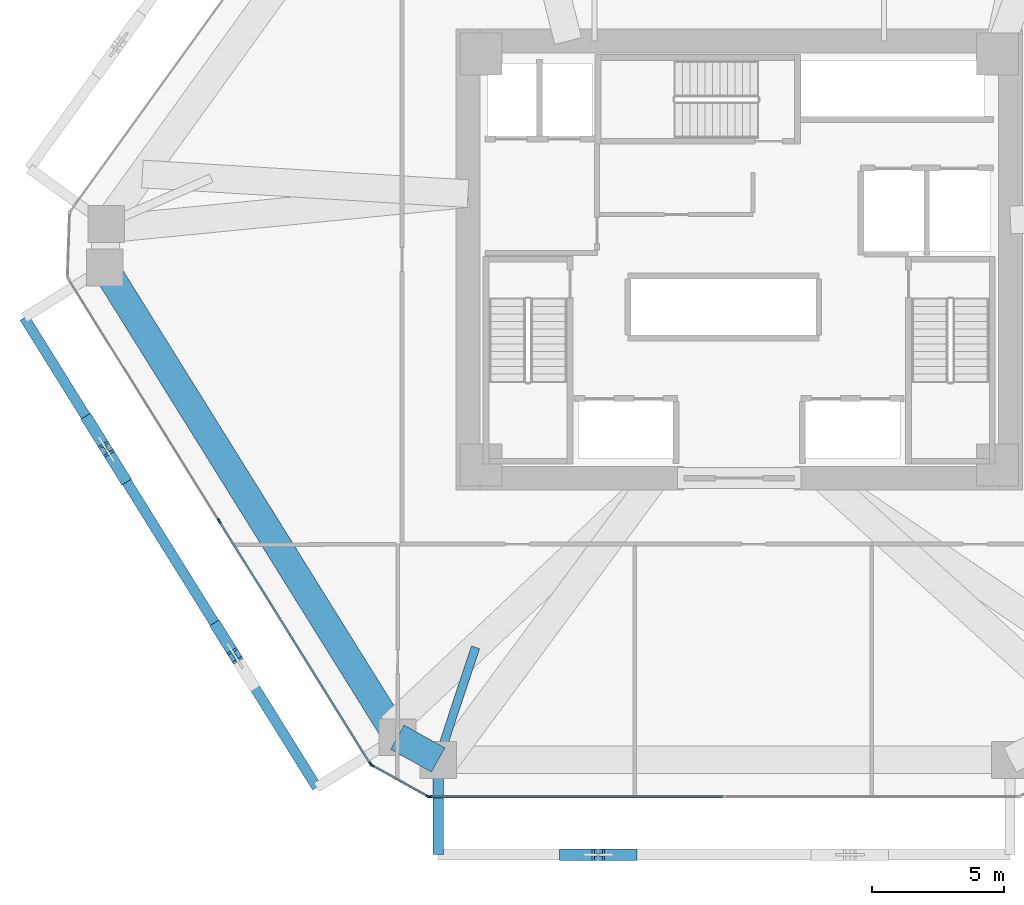
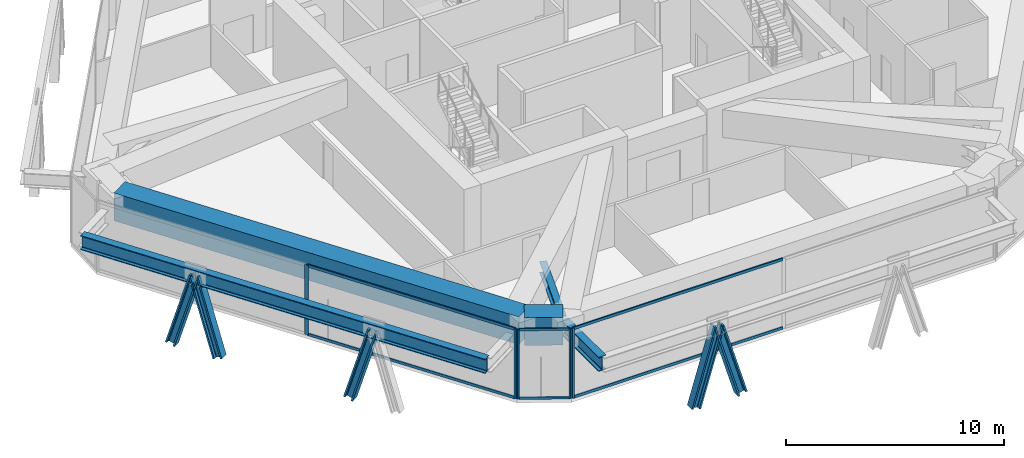
# One storey, part 2 of 16: 16 members, 5 beams, 3 elements without a shape of their own.
"""IFC4 building model written with IfcOpenShell, lengths in metres."""

from ifc_helpers import new_model, si_unit, direction, frame, origin, origin_2d, place, context, subcontext, project, spatial, rectangle, i_section, extrude, source, transform, mapped, material, layer, layer_set, material_profile, profile_set, type_object, type_shapes, element, aggregate, save


model = new_model("IFC4")

# Units and contexts
model_context = context("Model", 3, precision=1e-05, world=origin(), true_north=direction((0.0, 1.0)))
body_context = subcontext(model_context, "Body", "Model", "MODEL_VIEW")
ifc_project = project(units=[si_unit("LENGTHUNIT", "METRE"), si_unit("AREAUNIT", "SQUARE_METRE"), si_unit("VOLUMEUNIT", "CUBIC_METRE"), si_unit("PLANEANGLEUNIT", "RADIAN"), si_unit("MASSUNIT", "GRAM", prefix="KILO")], contexts=[model_context])

# Site, building, storey
site_placement = place(None, origin())
site = spatial("IfcSite", under=ifc_project, at=site_placement, CompositionType="ELEMENT")
building_placement = place(site_placement, origin())
building = spatial("IfcBuilding", under=site, at=building_placement, Name="Durnholm Broadcast Tower", CompositionType="ELEMENT")
storey_placement = place(building_placement, frame((0.0, 0.0, 84.300048828125)))
storey = spatial("IfcBuildingStorey", under=building, at=storey_placement, Name="L22", CompositionType="ELEMENT", Elevation=84.300048828125)

# Beams
ifc_material_1 = material(Name="Steel ASTM A992 Grade 50", Category="steel")
ifc_material_profile_1 = material_profile(ifc_material_1, i_section(OverallWidth=0.385009765625, OverallDepth=0.802978515625, WebThickness=0.023681640625, FlangeThickness=0.0419921875, FilletRadius=0.032958984375, at=origin_2d()), Name="W30X261")
ifc_profile_set_1 = profile_set([ifc_material_profile_1], Name="Steel ASTM A992 Grade 50")
beam_type_1 = type_object("IfcBeamType", Name="BM-EXO-TIE", PredefinedType="USERDEFINED", material=ifc_profile_set_1)
shared_shape_1 = source(origin(), body_context, "Body", "SweptSolid", [
    extrude(i_section(OverallWidth=0.385009765625, OverallDepth=0.802978515625, WebThickness=0.023681640625, FlangeThickness=0.0419921875, FilletRadius=0.032958984375, at=origin_2d()), origin(), (0.0, 0.0, 1.0), 3.4560546875),
])
beam_1_placement = place(storey_placement, frame((-11.43115234375, -19.14404296875, 3.1484375), z_axis=(0.0, -1.0, 0.0), x_axis=(1.0, 0.0, 0.0)))
element("IfcBeam", 1, at=beam_1_placement, inside=storey, type_object=beam_type_1, Name="L22 exoskeleton stand-off tie bracket F1.1", ObjectType="GIRDER", PredefinedType="USERDEFINED", context=body_context, shape_type="MappedRepresentation", body=[
    mapped(shared_shape_1, transform((0.0, 0.0, 0.0), x_axis=(1.0, 0.0, 0.0), y_axis=(0.0, 1.0, 0.0), z_axis=(0.0, 0.0, 1.0), scale=1.0)),
])
shared_shape_2 = source(origin(), body_context, "Body", "SweptSolid", [
    extrude(i_section(OverallWidth=0.385009765625, OverallDepth=0.802978515625, WebThickness=0.023681640625, FlangeThickness=0.0419921875, FilletRadius=0.032958984375, at=origin_2d()), origin(), (0.0, 0.0, 1.0), 21.0146484375),
])
type_shapes(beam_type_1, [shared_shape_1, shared_shape_2])
beam_2_placement = place(storey_placement, frame((-27.146728515625, -2.20263671875, 3.1484375), z_axis=(0.528590518575, -0.848876942597, 0.0), x_axis=(0.848876942597, 0.528590518575, 0.0)))
element("IfcBeam", 2, at=beam_2_placement, inside=storey, type_object=beam_type_1, Name="L22 exoskeleton collector spandrel F6", PredefinedType="SPANDREL", context=body_context, shape_type="MappedRepresentation", body=[
    mapped(shared_shape_2, transform((0.0, 0.0, 0.0), x_axis=(1.0, 0.0, 0.0), y_axis=(0.0, 1.0, 0.0), z_axis=(0.0, 0.0, 1.0), scale=1.0)),
])
ifc_material_2 = material(Name="Concrete C70/85", Category="concrete")
ifc_material_profile_2 = material_profile(ifc_material_2, rectangle(XDim=1.050048828125, YDim=1.550048828125, at=origin_2d()), Name="RC1050X1550")
ifc_profile_set_2 = profile_set([ifc_material_profile_2], Name="Concrete C70/85")
beam_type_2 = type_object("IfcBeamType", Name="BM-TG-RC1550", PredefinedType="USERDEFINED", material=ifc_profile_set_2)
shared_shape_3 = source(origin(), body_context, "Body", "SweptSolid", [
    extrude(rectangle(XDim=1.050048828125, YDim=1.550048828125, at=origin_2d()), origin(), (0.0, 0.0, 1.0), 21.014404296875),
])
beam_3_placement = place(storey_placement, frame((-12.982666015625, -18.138427734375, 3.125), z_axis=(-0.528595731543, 0.848873696491, 0.0), x_axis=(-0.848873696491, -0.528595731543, 0.0)))
element("IfcBeam", 3, at=beam_3_placement, inside=storey, type_object=beam_type_2, Name="L22 perimeter transfer spandrel girder 01", PredefinedType="SPANDREL", context=body_context, shape_type="MappedRepresentation", body=[
    mapped(shared_shape_3, transform((0.0, 0.0, 0.0), x_axis=(1.0, 0.0, 0.0), y_axis=(0.0, 1.0, 0.0), z_axis=(0.0, 0.0, 1.0), scale=1.0)),
])
shared_shape_4 = source(origin(), body_context, "Body", "SweptSolid", [
    extrude(rectangle(XDim=1.050048828125, YDim=1.550048828125, at=origin_2d()), origin(), (0.0, 0.0, 1.0), 1.774658203125),
])
type_shapes(beam_type_2, [shared_shape_3, shared_shape_4])
beam_4_placement = place(storey_placement, frame((-11.43115234375, -19.0, 3.125), z_axis=(-0.874248107979, 0.485479397806, 0.0), x_axis=(-0.485479397806, -0.874248107979, 0.0)))
element("IfcBeam", 4, at=beam_4_placement, inside=storey, type_object=beam_type_2, Name="L22 perimeter transfer spandrel girder 12", PredefinedType="SPANDREL", context=body_context, shape_type="MappedRepresentation", body=[
    mapped(shared_shape_4, transform((0.0, 0.0, 0.0), x_axis=(1.0, 0.0, 0.0), y_axis=(0.0, 1.0, 0.0), z_axis=(0.0, 0.0, 1.0), scale=1.0)),
])
ifc_material_profile_3 = material_profile(ifc_material_1, i_section(OverallWidth=0.3291015625, OverallDepth=0.635009765625, WebThickness=0.017822265625, FlangeThickness=0.031005859375, FilletRadius=0.02783203125, at=origin_2d()), Name="W24X162")
ifc_profile_set_3 = profile_set([ifc_material_profile_3], Name="Steel ASTM A992 Grade 50")
beam_type_3 = type_object("IfcBeamType", Name="STL-SP-W24X162", PredefinedType="SPANDREL", material=ifc_profile_set_3)
shared_shape_5 = source(origin(), body_context, "Body", "SweptSolid", [
    extrude(i_section(OverallWidth=0.3291015625, OverallDepth=0.635009765625, WebThickness=0.017822265625, FlangeThickness=0.031005859375, FilletRadius=0.02783203125, at=origin_2d()), origin(), (0.0, 0.0, 1.0), 4.50537109375),
])
type_shapes(beam_type_3, [shared_shape_5])
beam_5_placement = place(storey_placement, frame((-11.43115234375, -19.0, 3.280029296875), z_axis=(0.314520260963, 0.949250760044, 0.0), x_axis=(-0.949250760044, 0.314520260963, 0.0)))
element("IfcBeam", 5, at=beam_5_placement, inside=storey, type_object=beam_type_3, Name="L22 perimeter column collector tie 01", ObjectType="GIRDER", PredefinedType="USERDEFINED", context=body_context, shape_type="MappedRepresentation", body=[
    mapped(shared_shape_5, transform((0.0, 0.0, 0.0), x_axis=(1.0, 0.0, 0.0), y_axis=(0.0, 1.0, 0.0), z_axis=(0.0, 0.0, 1.0), scale=1.0)),
])

# Members
ifc_material_3 = material(Name="Steel ASTM A913 Grade 65", Category="steel")
ifc_material_profile_4 = material_profile(ifc_material_3, i_section(OverallWidth=0.43212890625, OverallDepth=0.497802734375, WebThickness=0.0556640625, FlangeThickness=0.0888671875, FilletRadius=0.030517578125, at=origin_2d()), Name="W14X500")
ifc_profile_set_4 = profile_set([ifc_material_profile_4], Name="Steel ASTM A913 Grade 65")
member_type_1 = type_object("IfcMemberType", Name="STL-DG-W14X500", PredefinedType="BRACE", material=ifc_profile_set_4)
shared_shape_6 = source(origin(), body_context, "Body", "SweptSolid", [
    extrude(i_section(OverallWidth=0.43212890625, OverallDepth=0.497802734375, WebThickness=0.0556640625, FlangeThickness=0.0888671875, FilletRadius=0.030517578125, at=origin_2d()), origin(), (0.0, 0.0, 1.0), 4.31982421875),
])
type_shapes(member_type_1, [shared_shape_6])
for number, where, z_axis, x_axis, name in (
    (6, (-6.585205078125, -22.60009765625, -0.991455078125), (0.285631208426, 0.0, 0.958339612441), (0.0, 1.0, 0.0), "L22 stand-off diagrid brace F1.D1.1"),
    (7, (-4.117431640625, -22.60009765625, -0.991455078125), (-0.285631208426, 0.0, 0.958339612441), (0.0, -1.0, 0.0), "L22 stand-off diagrid brace F1.D1.2"),
    (8, (-24.688720703125, -6.150146484375, -0.991455078125), (0.151010220189, -0.242452786156, 0.958338437027), (0.848819847179, 0.528682198523, 0.0), "L22 stand-off diagrid brace F6.D1.1"),
    (9, (-23.38427734375, -8.244873046875, -0.991455078125), (-0.150954992472, 0.242454855, 0.958346614506), (-0.848908635391, -0.528539618911, 0.0), "L22 stand-off diagrid brace F6.D1.2"),
    (10, (-19.801025390625, -13.9990234375, -0.991455078125), (0.150954992472, -0.242454855, 0.958346614506), (0.848908635391, 0.528539618911, 0.0), "L22 stand-off diagrid brace F6.D2.1"),
):
    element("IfcMember", number, at=place(storey_placement, frame(where, z_axis=z_axis, x_axis=x_axis)), inside=storey, type_object=member_type_1, Name=name, PredefinedType="BRACE", context=body_context, shape_type="MappedRepresentation", body=[
        mapped(shared_shape_6, transform((0.0, 0.0, 0.0), x_axis=(1.0, 0.0, 0.0), y_axis=(0.0, 1.0, 0.0), z_axis=(0.0, 0.0, 1.0), scale=1.0)),
    ])

# Curtain wall, members
ifc_material_4 = material(Name="Aluminium and Solar Control IGU", Category="aluminium")
ifc_layer_1 = layer(ifc_material_4, 0.1650390625)
ifc_layer_set_1 = layer_set([ifc_layer_1], Name="Aluminium and Solar Control IGU")
curtain_wall_type_1 = type_object("IfcCurtainWallType", Name="CW-SYS-5", PredefinedType="NOTDEFINED", material=ifc_layer_set_1)
curtain_wall_1_placement = place(storey_placement, origin())
curtain_wall_1 = element("IfcCurtainWall", 11, at=curtain_wall_1_placement, inside=storey, type_object=curtain_wall_type_1, Name="L22 curtain wall CW-CORNER CW-L22-CRN-11", PredefinedType="NOTDEFINED")
ifc_material_5 = material(Name="Aluminium 6063-T6", Category="aluminium")
ifc_material_profile_5 = material_profile(ifc_material_5, rectangle(XDim=0.06494140625, YDim=0.1298828125, at=origin_2d()), Name="CWT65X130")
ifc_profile_set_5 = profile_set([ifc_material_profile_5], Name="Aluminium 6063-T6")
member_type_2 = type_object("IfcMemberType", Name="CW-SYS-5-TRN", PredefinedType="USERDEFINED", material=ifc_profile_set_5)
shared_shape_7 = source(origin(), body_context, "Body", "SweptSolid", [
    extrude(rectangle(XDim=0.06494140625, YDim=0.1298828125, at=origin_2d()), origin(), (0.0, 0.0, 1.0), 2.3701171875),
])
type_shapes(member_type_2, [shared_shape_7])
member_1_placement = place(storey_placement, frame((-11.8505859375, -20.368408203125, 0.032470703125), z_axis=(-0.874244723151, 0.485485493132, 0.0), x_axis=(-0.485485493132, -0.874244723151, 0.0)))
member_1 = element("IfcMember", 12, at=member_1_placement, type_object=member_type_2, Name="CW-CORNER transom 1.1", ObjectType="TRANSOM", PredefinedType="USERDEFINED", context=body_context, shape_type="MappedRepresentation", body=[
    mapped(shared_shape_7, transform((0.0, 0.0, 0.0), x_axis=(1.0, 0.0, 0.0), y_axis=(0.0, 1.0, 0.0), z_axis=(0.0, 0.0, 1.0), scale=1.0)),
])
member_2_placement = place(storey_placement, frame((-11.8505859375, -20.368408203125, 3.867431640625), z_axis=(-0.874244723151, 0.485485493132, 0.0), x_axis=(-0.485485493132, -0.874244723151, 0.0)))
member_2 = element("IfcMember", 13, at=member_2_placement, type_object=member_type_2, Name="CW-CORNER transom 1.2", ObjectType="TRANSOM", PredefinedType="USERDEFINED", context=body_context, shape_type="MappedRepresentation", body=[
    mapped(shared_shape_7, transform((0.0, 0.0, 0.0), x_axis=(1.0, 0.0, 0.0), y_axis=(0.0, 1.0, 0.0), z_axis=(0.0, 0.0, 1.0), scale=1.0)),
])

ifc_layer_2 = layer(ifc_material_4, 0.18994140625)
ifc_layer_set_2 = layer_set([ifc_layer_2], Name="Aluminium and Solar Control IGU")
curtain_wall_type_2 = type_object("IfcCurtainWallType", Name="CW-SYS-3", PredefinedType="NOTDEFINED", material=ifc_layer_set_2)
curtain_wall_2_placement = place(storey_placement, origin())
curtain_wall_2 = element("IfcCurtainWall", 14, at=curtain_wall_2_placement, inside=storey, type_object=curtain_wall_type_2, Name="L22 curtain wall CW-Z12-VIS CW-L22-F12", PredefinedType="NOTDEFINED")
ifc_material_profile_6 = material_profile(ifc_material_5, rectangle(XDim=0.070068359375, YDim=0.14990234375, at=origin_2d()), Name="CWT70X150")
ifc_profile_set_6 = profile_set([ifc_material_profile_6], Name="Aluminium 6063-T6")
member_type_3 = type_object("IfcMemberType", Name="CW-SYS-3-TRN", PredefinedType="USERDEFINED", material=ifc_profile_set_6)
shared_shape_8 = source(origin(), body_context, "Body", "SweptSolid", [
    extrude(rectangle(XDim=0.070068359375, YDim=0.14990234375, at=origin_2d()), origin(), (0.0, 0.0, 1.0), 10.796630859375),
])
member_3_placement = place(storey_placement, frame((-14.016357421875, -19.126953125, 0.034912109375), z_axis=(-0.528591657678, 0.848876233283, 0.0), x_axis=(-0.848876233283, -0.528591657678, 0.0)))
member_3 = element("IfcMember", 15, at=member_3_placement, type_object=member_type_3, Name="CW-Z12-VIS transom 1.1", ObjectType="TRANSOM", PredefinedType="USERDEFINED", context=body_context, shape_type="MappedRepresentation", body=[
    mapped(shared_shape_8, transform((0.0, 0.0, 0.0), x_axis=(1.0, 0.0, 0.0), y_axis=(0.0, 1.0, 0.0), z_axis=(0.0, 0.0, 1.0), scale=1.0)),
])
member_4_placement = place(storey_placement, frame((-14.016357421875, -19.126953125, 3.864990234375), z_axis=(-0.528591657678, 0.848876233283, 0.0), x_axis=(-0.848876233283, -0.528591657678, 0.0)))
member_4 = element("IfcMember", 16, at=member_4_placement, type_object=member_type_3, Name="CW-Z12-VIS transom 1.2", ObjectType="TRANSOM", PredefinedType="USERDEFINED", context=body_context, shape_type="MappedRepresentation", body=[
    mapped(shared_shape_8, transform((0.0, 0.0, 0.0), x_axis=(1.0, 0.0, 0.0), y_axis=(0.0, 1.0, 0.0), z_axis=(0.0, 0.0, 1.0), scale=1.0)),
])

curtain_wall_3_placement = place(storey_placement, origin())
curtain_wall_3 = element("IfcCurtainWall", 17, at=curtain_wall_3_placement, inside=storey, type_object=curtain_wall_type_2, Name="L22 curtain wall CW-Z12-VIS CW-L22-F10", PredefinedType="NOTDEFINED")
shared_shape_9 = source(origin(), body_context, "Body", "SweptSolid", [
    extrude(rectangle(XDim=0.070068359375, YDim=0.14990234375, at=origin_2d()), origin(), (0.0, 0.0, 1.0), 11.10205078125),
])
type_shapes(member_type_3, [shared_shape_8, shared_shape_9])
member_5_placement = place(storey_placement, frame((-0.621826171875, -20.39990234375, 0.034912109375), z_axis=(-1.0, 0.0, 0.0), x_axis=(0.0, -1.0, 0.0)))
member_5 = element("IfcMember", 18, at=member_5_placement, type_object=member_type_3, Name="CW-Z12-VIS transom 2.1", ObjectType="TRANSOM", PredefinedType="USERDEFINED", context=body_context, shape_type="MappedRepresentation", body=[
    mapped(shared_shape_9, transform((0.0, 0.0, 0.0), x_axis=(1.0, 0.0, 0.0), y_axis=(0.0, 1.0, 0.0), z_axis=(0.0, 0.0, 1.0), scale=1.0)),
])
member_6_placement = place(storey_placement, frame((-0.621826171875, -20.39990234375, 3.864990234375), z_axis=(-1.0, 0.0, 0.0), x_axis=(0.0, -1.0, 0.0)))
member_6 = element("IfcMember", 19, at=member_6_placement, type_object=member_type_3, Name="CW-Z12-VIS transom 2.2", ObjectType="TRANSOM", PredefinedType="USERDEFINED", context=body_context, shape_type="MappedRepresentation", body=[
    mapped(shared_shape_9, transform((0.0, 0.0, 0.0), x_axis=(1.0, 0.0, 0.0), y_axis=(0.0, 1.0, 0.0), z_axis=(0.0, 0.0, 1.0), scale=1.0)),
])

# Member
ifc_material_profile_7 = material_profile(ifc_material_5, rectangle(XDim=0.06494140625, YDim=0.1650390625, at=origin_2d()), Name="CWM65X165")
ifc_profile_set_7 = profile_set([ifc_material_profile_7], Name="Aluminium 6063-T6")
member_type_4 = type_object("IfcMemberType", Name="CW-SYS-5-MUL", PredefinedType="MULLION", material=ifc_profile_set_7)
shared_shape_10 = source(origin(), body_context, "Body", "SweptSolid", [
    extrude(rectangle(XDim=0.06494140625, YDim=0.1650390625, at=origin_2d()), origin(), (0.0, 0.0, 1.0), 3.89990234375),
])
type_shapes(member_type_4, [shared_shape_10])
member_7_placement = place(storey_placement, frame((-11.822265625, -20.38427734375, 0.0), z_axis=(0.0, 0.0, 1.0), x_axis=(-0.485483299359, -0.874245941394, 0.0)))
member_7 = element("IfcMember", 20, at=member_7_placement, type_object=member_type_4, Name="CW-CORNER mullion 1", PredefinedType="MULLION", context=body_context, shape_type="MappedRepresentation", body=[
    mapped(shared_shape_10, transform((0.0, 0.0, 0.0), x_axis=(1.0, 0.0, 0.0), y_axis=(0.0, 1.0, 0.0), z_axis=(0.0, 0.0, 1.0), scale=1.0)),
])

member_8_placement = place(storey_placement, frame((-13.950927734375, -19.2021484375, 0.0), z_axis=(0.0, 0.0, 1.0), x_axis=(-0.485483299359, -0.874245941394, 0.0)))
member_8 = element("IfcMember", 21, at=member_8_placement, type_object=member_type_4, Name="CW-CORNER mullion 2", PredefinedType="MULLION", context=body_context, shape_type="MappedRepresentation", body=[
    mapped(shared_shape_10, transform((0.0, 0.0, 0.0), x_axis=(1.0, 0.0, 0.0), y_axis=(0.0, 1.0, 0.0), z_axis=(0.0, 0.0, 1.0), scale=1.0)),
])

aggregate(curtain_wall_1, [member_7, member_8, member_1, member_2])

ifc_material_profile_8 = material_profile(ifc_material_5, rectangle(XDim=0.070068359375, YDim=0.18994140625, at=origin_2d()), Name="CWM70X190")
ifc_profile_set_8 = profile_set([ifc_material_profile_8], Name="Aluminium 6063-T6")
member_type_5 = type_object("IfcMemberType", Name="CW-SYS-3-MUL", PredefinedType="MULLION", material=ifc_profile_set_8)
shared_shape_11 = source(origin(), body_context, "Body", "SweptSolid", [
    extrude(rectangle(XDim=0.070068359375, YDim=0.18994140625, at=origin_2d()), origin(), (0.0, 0.0, 1.0), 3.89990234375),
])
type_shapes(member_type_5, [shared_shape_11])
member_9_placement = place(storey_placement, frame((-11.7587890625, -20.39990234375, 0.0), z_axis=(0.0, 0.0, 1.0), x_axis=(0.0, -1.0, 0.0)))
member_9 = element("IfcMember", 22, at=member_9_placement, type_object=member_type_5, Name="CW-Z12-VIS mullion 3", PredefinedType="MULLION", context=body_context, shape_type="MappedRepresentation", body=[
    mapped(shared_shape_11, transform((0.0, 0.0, 0.0), x_axis=(1.0, 0.0, 0.0), y_axis=(0.0, 1.0, 0.0), z_axis=(0.0, 0.0, 1.0), scale=1.0)),
])

aggregate(curtain_wall_3, [member_9, member_5, member_6])

member_10_placement = place(storey_placement, frame((-13.997802734375, -19.156494140625, 0.0), z_axis=(0.0, 0.0, 1.0), x_axis=(-0.848875785503, -0.528592376777, 0.0)))
member_10 = element("IfcMember", 23, at=member_10_placement, type_object=member_type_5, Name="CW-Z12-VIS mullion 1", PredefinedType="MULLION", context=body_context, shape_type="MappedRepresentation", body=[
    mapped(shared_shape_11, transform((0.0, 0.0, 0.0), x_axis=(1.0, 0.0, 0.0), y_axis=(0.0, 1.0, 0.0), z_axis=(0.0, 0.0, 1.0), scale=1.0)),
])

member_11_placement = place(storey_placement, frame((-19.741943359375, -9.93212890625, 0.0), z_axis=(0.0, 0.0, 1.0), x_axis=(-0.848875785503, -0.528592376777, 0.0)))
member_11 = element("IfcMember", 24, at=member_11_placement, type_object=member_type_5, Name="CW-Z12-VIS mullion 2", PredefinedType="MULLION", context=body_context, shape_type="MappedRepresentation", body=[
    mapped(shared_shape_11, transform((0.0, 0.0, 0.0), x_axis=(1.0, 0.0, 0.0), y_axis=(0.0, 1.0, 0.0), z_axis=(0.0, 0.0, 1.0), scale=1.0)),
])

aggregate(curtain_wall_2, [member_10, member_11, member_3, member_4])

save(model, "model.ifc")
